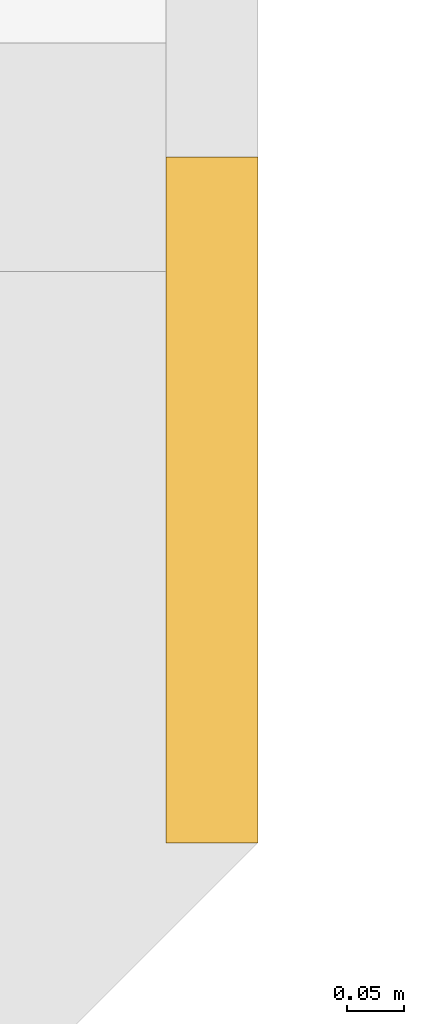
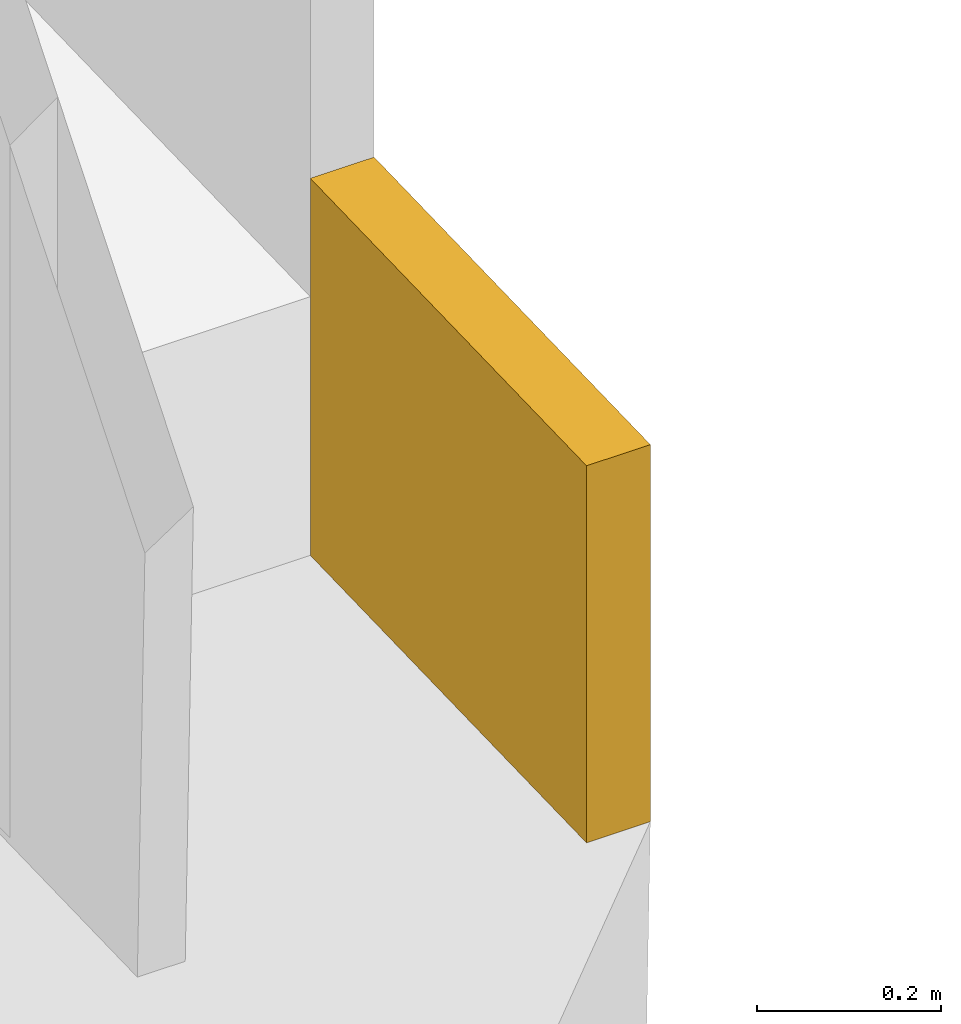
# One storey, part 29 of 29: 1 covering.
"""IFC4 building model written with IfcOpenShell, lengths in metres."""

from ifc_helpers import new_model, si_unit, direction, frame, origin, place, context, subcontext, project, spatial, polyline, outline, extrude, material, layer, layer_set, type_object, element, save


model = new_model("IFC4")

# Units and contexts
model_context = context("Model", 3, precision=1e-05, world=origin(), true_north=direction((0.0, 1.0)))
body_context = subcontext(model_context, "Body", "Model", "MODEL_VIEW")
ifc_project = project(units=[si_unit("LENGTHUNIT", "METRE"), si_unit("AREAUNIT", "SQUARE_METRE"), si_unit("VOLUMEUNIT", "CUBIC_METRE"), si_unit("PLANEANGLEUNIT", "RADIAN"), si_unit("MASSUNIT", "GRAM", prefix="KILO")], contexts=[model_context])

# Site, building, storey
site_placement = place(None, origin())
site = spatial("IfcSite", under=ifc_project, at=site_placement, CompositionType="ELEMENT")
building_placement = place(site_placement, origin())
building = spatial("IfcBuilding", under=site, at=building_placement, Name="Saffron Gate Tower", CompositionType="ELEMENT")
storey_placement = place(building_placement, frame((0.0, 0.0, 116.85009765625)))
storey = spatial("IfcBuildingStorey", under=building, at=storey_placement, Name="L27", CompositionType="ELEMENT", Elevation=116.85009765625)

# Covering
ifc_material = material(Name="Timber, thermally modified ash", Category="wood")
ifc_layer = layer(ifc_material, 0.080078125)
ifc_layer_set = layer_set([ifc_layer], Name="LD2 ledge planter trough")
covering_type = type_object("IfcCoveringType", Name="LD2 ledge planter trough", PredefinedType="CLADDING", material=ifc_layer_set)
covering_placement = place(storey_placement, frame((124.800048828125, 73.199951171875, 0.0595703125), z_axis=(1.0, 0.0, 0.0), x_axis=(0.0, 0.999583081391, 0.028873229772)))
element("IfcCovering", 1, at=covering_placement, inside=storey, type_object=covering_type, Name="LEDGE planter trough", PredefinedType="CLADDING", context=body_context, shape_type="SweptSolid", body=[
    extrude(outline(polyline([(0.0, 0.0), (0.6003479524834376, -3.469446951953614e-18), (0.6147845673692678, 0.4997915406953566), (0.014436614885830073, 0.4997915406953566), (0.0, 0.0)])), origin(), (0.0, 0.0, -1.0), 0.080078125),
])

save(model, "model.ifc")
